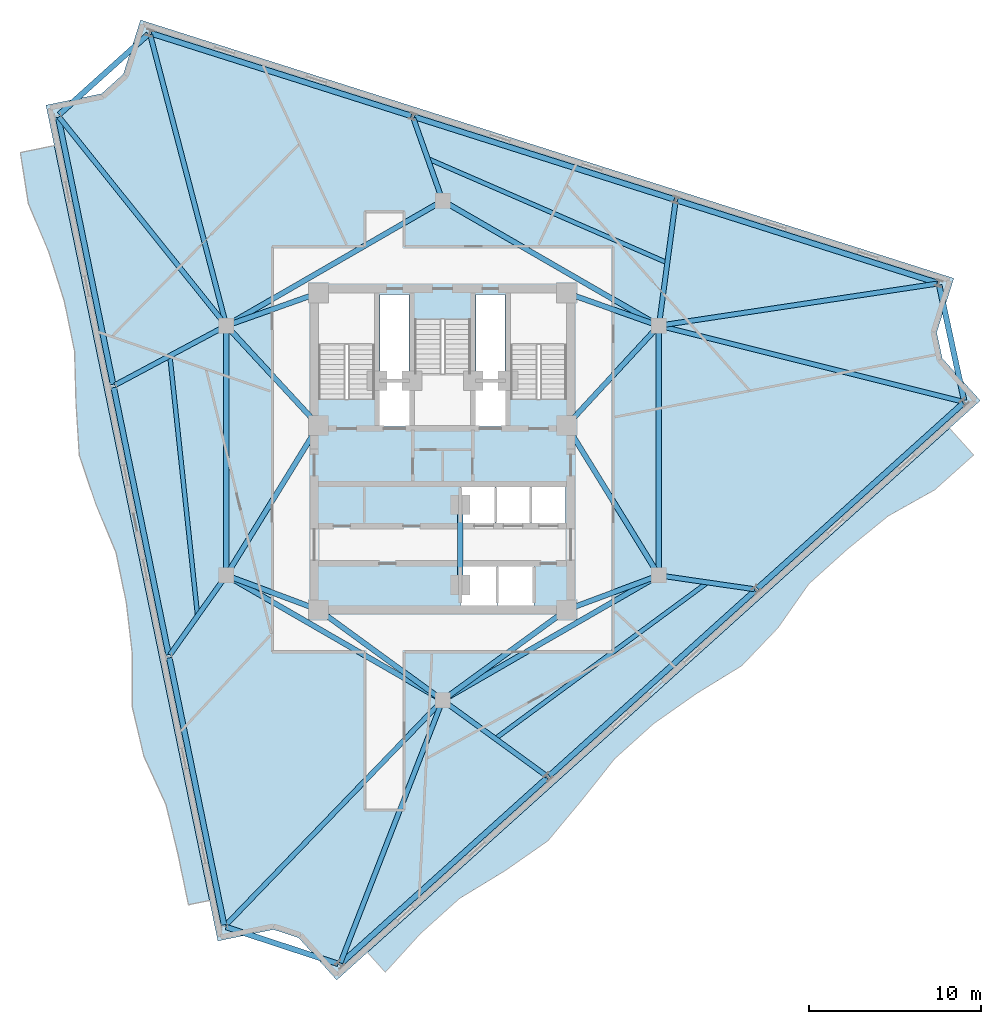
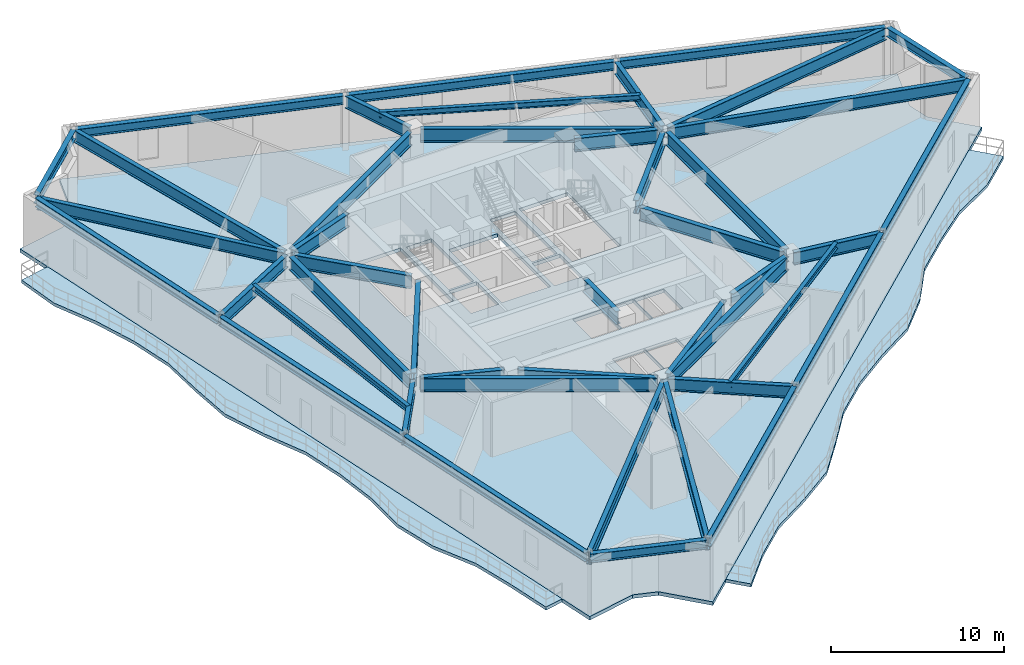
# One storey, part 4 of 11: 44 beams, 3 slabs.
"""IFC4 building model written with IfcOpenShell, lengths in metres."""

from ifc_helpers import new_model, si_unit, direction, frame, origin, origin_2d, place, context, subcontext, project, spatial, polyline, i_section, outline, extrude, material, layer, layer_set, material_profile, profile_set, type_object, element, save


model = new_model("IFC4")

# Units and contexts
model_context = context("Model", 3, precision=1e-05, world=origin(), true_north=direction((0.0, 1.0)))
body_context = subcontext(model_context, "Body", "Model", "MODEL_VIEW")
ifc_project = project(units=[si_unit("LENGTHUNIT", "METRE"), si_unit("AREAUNIT", "SQUARE_METRE"), si_unit("VOLUMEUNIT", "CUBIC_METRE"), si_unit("PLANEANGLEUNIT", "RADIAN"), si_unit("MASSUNIT", "GRAM", prefix="KILO")], contexts=[model_context])

# Site, building, storey
site_placement = place(None, origin())
site = spatial("IfcSite", under=ifc_project, at=site_placement, CompositionType="ELEMENT")
building_placement = place(site_placement, origin())
building = spatial("IfcBuilding", under=site, at=building_placement, Name="Apsidion Concourse Tower", CompositionType="ELEMENT")
storey_placement = place(building_placement, frame((0.0, 0.0, 244.5)))
storey = spatial("IfcBuildingStorey", under=building, at=storey_placement, Name="L57", CompositionType="ELEMENT", Elevation=244.5)

# Beams
ifc_material_1 = material(Name="Structural steel ASTM A992 Grade 50", Category="steel")
ifc_material_profile_1 = material_profile(ifc_material_1, i_section(OverallWidth=0.260009765625, OverallDepth=0.4150390625, WebThickness=0.010009765625, FlangeThickness=0.016845703125, at=origin_2d()), Name="W16X67")
ifc_profile_set_1 = profile_set([ifc_material_profile_1], Name="Structural steel ASTM A992 Grade 50")
beam_type_1 = type_object("IfcBeamType", Name="BM-FL-W16H", PredefinedType="BEAM", material=ifc_profile_set_1)
beam_1_placement = place(storey_placement, frame((-15.83642578125, 5.500732421875, 3.642578125), z_axis=(0.106172030497, -0.994347776153, 0.0), x_axis=(0.994347776153, 0.106172030497, 0.0)))
element("IfcBeam", 1, at=beam_1_placement, inside=storey, type_object=beam_type_1, Name="L57 Secondary Floor Beam SEC-F1", PredefinedType="BEAM", context=body_context, shape_type="SweptSolid", body=[
    extrude(i_section(OverallWidth=0.260009765625, OverallDepth=0.4150390625, WebThickness=0.010009765625, FlangeThickness=0.016845703125, at=origin_2d()), origin(), (0.0, 0.0, 1.0), 15.18359375),
])
beam_2_placement = place(storey_placement, frame((3.060791015625, -16.727294921875, 3.642578125), z_axis=(0.80548434449, 0.592617052389, 0.0), x_axis=(-0.592617052389, 0.80548434449, 0.0)))
element("IfcBeam", 2, at=beam_2_placement, inside=storey, type_object=beam_type_1, Name="L57 Secondary Floor Beam SEC-F2", PredefinedType="BEAM", context=body_context, shape_type="SweptSolid", body=[
    extrude(i_section(OverallWidth=0.260009765625, OverallDepth=0.4150390625, WebThickness=0.010009765625, FlangeThickness=0.016845703125, at=origin_2d()), origin(), (0.0, 0.0, 1.0), 15.301025390625),
])
beam_3_placement = place(storey_placement, frame((13.049560546875, 10.901611328125, 3.642578125), z_axis=(-0.917117371842, 0.398617267897, 0.0), x_axis=(-0.398617267897, -0.917117371842, 0.0)))
element("IfcBeam", 3, at=beam_3_placement, inside=storey, type_object=beam_type_1, Name="L57 Secondary Floor Beam SEC-F3", PredefinedType="BEAM", context=body_context, shape_type="SweptSolid", body=[
    extrude(i_section(OverallWidth=0.260009765625, OverallDepth=0.4150390625, WebThickness=0.010009765625, FlangeThickness=0.016845703125, at=origin_2d()), origin(), (0.0, 0.0, 1.0), 15.173828125),
])
ifc_material_profile_2 = material_profile(ifc_material_1, i_section(OverallWidth=0.2919921875, OverallDepth=0.85888671875, WebThickness=0.01708984375, FlangeThickness=0.031005859375, at=origin_2d()), Name="W33X169")
ifc_profile_set_2 = profile_set([ifc_material_profile_2], Name="Structural steel ASTM A992 Grade 50")
beam_type_2 = type_object("IfcBeamType", Name="BM-G-W33", PredefinedType="USERDEFINED", material=ifc_profile_set_2)
beam_4_placement = place(storey_placement, frame((-12.697509765625, 7.421630859375, 3.42041015625), z_axis=(-0.625472520241, 0.780246196033, 0.0), x_axis=(-0.780246196033, -0.625472520241, 0.0)))
element("IfcBeam", 4, at=beam_4_placement, inside=storey, type_object=beam_type_2, Name="L57 Radial Floor Girder RAD-01", ObjectType="GIRDER", PredefinedType="USERDEFINED", context=body_context, shape_type="SweptSolid", body=[
    extrude(i_section(OverallWidth=0.2919921875, OverallDepth=0.85888671875, WebThickness=0.01708984375, FlangeThickness=0.031005859375, at=origin_2d()), origin(), (0.0, 0.0, 1.0), 15.311767578125),
])
beam_5_placement = place(storey_placement, frame((-12.754150390625, 7.146484375, 3.42041015625), z_axis=(-0.88214083385, -0.470985720861, 0.0), x_axis=(0.470985720861, -0.88214083385, 0.0)))
element("IfcBeam", 5, at=beam_5_placement, inside=storey, type_object=beam_type_2, Name="L57 Radial Floor Girder RAD-02", ObjectType="GIRDER", PredefinedType="USERDEFINED", context=body_context, shape_type="SweptSolid", body=[
    extrude(i_section(OverallWidth=0.2919921875, OverallDepth=0.85888671875, WebThickness=0.01708984375, FlangeThickness=0.031005859375, at=origin_2d()), origin(), (0.0, 0.0, 1.0), 7.1083984375),
])
beam_6_placement = place(storey_placement, frame((-12.687255859375, -7.429443359375, 3.42041015625), z_axis=(-0.578459758238, -0.815710921895, 0.0), x_axis=(0.815710921895, -0.578459758238, 0.0)))
element("IfcBeam", 6, at=beam_6_placement, inside=storey, type_object=beam_type_2, Name="L57 Radial Floor Girder RAD-03", ObjectType="GIRDER", PredefinedType="USERDEFINED", context=body_context, shape_type="SweptSolid", body=[
    extrude(i_section(OverallWidth=0.2919921875, OverallDepth=0.85888671875, WebThickness=0.01708984375, FlangeThickness=0.031005859375, at=origin_2d()), origin(), (0.0, 0.0, 1.0), 5.434326171875),
])
beam_7_placement = place(storey_placement, frame((-0.152587890625, -14.658447265625, 3.42041015625), z_axis=(-0.693982841632, -0.719991538506, 0.0), x_axis=(0.719991538506, -0.693982841632, 0.0)))
element("IfcBeam", 7, at=beam_7_placement, inside=storey, type_object=beam_type_2, Name="L57 Radial Floor Girder RAD-04", ObjectType="GIRDER", PredefinedType="USERDEFINED", context=body_context, shape_type="SweptSolid", body=[
    extrude(i_section(OverallWidth=0.2919921875, OverallDepth=0.85888671875, WebThickness=0.01708984375, FlangeThickness=0.031005859375, at=origin_2d()), origin(), (0.0, 0.0, 1.0), 17.928955078125),
])
beam_8_placement = place(storey_placement, frame((-0.079833984375, -14.705078125, 3.42041015625), z_axis=(-0.36254845311, -0.931964923775, 0.0), x_axis=(0.931964923775, -0.36254845311, 0.0)))
element("IfcBeam", 8, at=beam_8_placement, inside=storey, type_object=beam_type_2, Name="L57 Radial Floor Girder RAD-05", ObjectType="GIRDER", PredefinedType="USERDEFINED", context=body_context, shape_type="SweptSolid", body=[
    extrude(i_section(OverallWidth=0.2919921875, OverallDepth=0.85888671875, WebThickness=0.01708984375, FlangeThickness=0.031005859375, at=origin_2d()), origin(), (0.0, 0.0, 1.0), 16.14013671875),
])
beam_9_placement = place(storey_placement, frame((0.177978515625, -14.62939453125, 3.42041015625), z_axis=(0.808567158699, -0.588403900288, 0.0), x_axis=(0.588403900288, 0.808567158699, 0.0)))
element("IfcBeam", 9, at=beam_9_placement, inside=storey, type_object=beam_type_2, Name="L57 Radial Floor Girder RAD-06", ObjectType="GIRDER", PredefinedType="USERDEFINED", context=body_context, shape_type="SweptSolid", body=[
    extrude(i_section(OverallWidth=0.2919921875, OverallDepth=0.85888671875, WebThickness=0.01708984375, FlangeThickness=0.031005859375, at=origin_2d()), origin(), (0.0, 0.0, 1.0), 7.251220703125),
])
beam_10_placement = place(storey_placement, frame((12.777587890625, -7.281494140625, 3.42041015625), z_axis=(0.98964652534, -0.143526147032, 0.0), x_axis=(0.143526147032, 0.98964652534, 0.0)))
element("IfcBeam", 10, at=beam_10_placement, inside=storey, type_object=beam_type_2, Name="L57 Radial Floor Girder RAD-07", ObjectType="GIRDER", PredefinedType="USERDEFINED", context=body_context, shape_type="SweptSolid", body=[
    extrude(i_section(OverallWidth=0.2919921875, OverallDepth=0.85888671875, WebThickness=0.01708984375, FlangeThickness=0.031005859375, at=origin_2d()), origin(), (0.0, 0.0, 1.0), 5.390625),
])
beam_11_placement = place(storey_placement, frame((12.7734375, 7.19677734375, 3.42041015625), z_axis=(0.97015368983, -0.242490861907, 0.0), x_axis=(0.242490861907, 0.97015368983, 0.0)))
element("IfcBeam", 11, at=beam_11_placement, inside=storey, type_object=beam_type_2, Name="L57 Radial Floor Girder RAD-08", ObjectType="GIRDER", PredefinedType="USERDEFINED", context=body_context, shape_type="SweptSolid", body=[
    extrude(i_section(OverallWidth=0.2919921875, OverallDepth=0.85888671875, WebThickness=0.01708984375, FlangeThickness=0.031005859375, at=origin_2d()), origin(), (0.0, 0.0, 1.0), 17.96630859375),
])
beam_12_placement = place(storey_placement, frame((12.777587890625, 7.282958984375, 3.42041015625), z_axis=(0.988774311252, 0.149416737377, 0.0), x_axis=(-0.149416737377, 0.988774311252, 0.0)))
element("IfcBeam", 12, at=beam_12_placement, inside=storey, type_object=beam_type_2, Name="L57 Radial Floor Girder RAD-09", ObjectType="GIRDER", PredefinedType="USERDEFINED", context=body_context, shape_type="SweptSolid", body=[
    extrude(i_section(OverallWidth=0.2919921875, OverallDepth=0.85888671875, WebThickness=0.01708984375, FlangeThickness=0.031005859375, at=origin_2d()), origin(), (0.0, 0.0, 1.0), 16.11572265625),
])
beam_13_placement = place(storey_placement, frame((12.589111328125, 7.468017578125, 3.42041015625), z_axis=(0.13290103696, 0.99112931264, 0.0), x_axis=(-0.99112931264, 0.13290103696, 0.0)))
element("IfcBeam", 13, at=beam_13_placement, inside=storey, type_object=beam_type_2, Name="L57 Radial Floor Girder RAD-10", ObjectType="GIRDER", PredefinedType="USERDEFINED", context=body_context, shape_type="SweptSolid", body=[
    extrude(i_section(OverallWidth=0.2919921875, OverallDepth=0.85888671875, WebThickness=0.01708984375, FlangeThickness=0.031005859375, at=origin_2d()), origin(), (0.0, 0.0, 1.0), 7.048583984375),
])
beam_14_placement = place(storey_placement, frame((-0.073486328125, 14.70751953125, 3.42041015625), z_axis=(-0.333398660175, 0.94278594251, 0.0), x_axis=(-0.94278594251, -0.333398660175, 0.0)))
element("IfcBeam", 14, at=beam_14_placement, inside=storey, type_object=beam_type_2, Name="L57 Radial Floor Girder RAD-11", ObjectType="GIRDER", PredefinedType="USERDEFINED", context=body_context, shape_type="SweptSolid", body=[
    extrude(i_section(OverallWidth=0.2919921875, OverallDepth=0.85888671875, WebThickness=0.01708984375, FlangeThickness=0.031005859375, at=origin_2d()), origin(), (0.0, 0.0, 1.0), 4.877685546875),
])
beam_15_placement = place(storey_placement, frame((-12.61572265625, 7.462890625, 3.42041015625), z_axis=(-0.253011847296, 0.967463180244, 0.0), x_axis=(-0.967463180244, -0.253011847296, 0.0)))
element("IfcBeam", 15, at=beam_15_placement, inside=storey, type_object=beam_type_2, Name="L57 Radial Floor Girder RAD-12", ObjectType="GIRDER", PredefinedType="USERDEFINED", context=body_context, shape_type="SweptSolid", body=[
    extrude(i_section(OverallWidth=0.2919921875, OverallDepth=0.85888671875, WebThickness=0.01708984375, FlangeThickness=0.031005859375, at=origin_2d()), origin(), (0.0, 0.0, 1.0), 17.249267578125),
])
ifc_material_profile_3 = material_profile(ifc_material_1, i_section(OverallWidth=0.31005859375, OverallDepth=0.931884765625, WebThickness=0.02099609375, FlangeThickness=0.034423828125, at=origin_2d()), Name="W36X210")
ifc_profile_set_3 = profile_set([ifc_material_profile_3], Name="Structural steel ASTM A992 Grade 50")
beam_type_3 = type_object("IfcBeamType", Name="BM-G-W36", PredefinedType="USERDEFINED", material=ifc_profile_set_3)
beam_16_placement = place(storey_placement, frame((-12.185302734375, -7.389892578125, 3.384033203125), z_axis=(0.936913021145, -0.349562570664, 0.0), x_axis=(0.349562570664, 0.936913021145, 0.0)))
element("IfcBeam", 16, at=beam_16_placement, inside=storey, type_object=beam_type_3, Name="L57 Core Coupling Girder IC1-SC1", ObjectType="GIRDER", PredefinedType="USERDEFINED", context=body_context, shape_type="SweptSolid", body=[
    extrude(i_section(OverallWidth=0.31005859375, OverallDepth=0.931884765625, WebThickness=0.02099609375, FlangeThickness=0.034423828125, at=origin_2d()), origin(), (0.0, 0.0, 1.0), 4.921142578125),
])
beam_17_placement = place(storey_placement, frame((-12.35009765625, -6.909423828125, 3.384033203125), z_axis=(0.524524009763, 0.851395656074, 0.0), x_axis=(-0.851395656074, 0.524524009763, 0.0)))
element("IfcBeam", 17, at=beam_17_placement, inside=storey, type_object=beam_type_3, Name="L57 Core Coupling Girder IC1-SC6", ObjectType="GIRDER", PredefinedType="USERDEFINED", context=body_context, shape_type="SweptSolid", body=[
    extrude(i_section(OverallWidth=0.31005859375, OverallDepth=0.931884765625, WebThickness=0.02099609375, FlangeThickness=0.034423828125, at=origin_2d()), origin(), (0.0, 0.0, 1.0), 9.41845703125),
])
beam_18_placement = place(storey_placement, frame((12.185302734375, -7.389892578125, 3.384033203125), z_axis=(-0.936913021145, -0.349562570664, 0.0), x_axis=(0.349562570664, -0.936913021145, 0.0)))
element("IfcBeam", 18, at=beam_18_placement, inside=storey, type_object=beam_type_3, Name="L57 Core Coupling Girder IC2-SC2", ObjectType="GIRDER", PredefinedType="USERDEFINED", context=body_context, shape_type="SweptSolid", body=[
    extrude(i_section(OverallWidth=0.31005859375, OverallDepth=0.931884765625, WebThickness=0.02099609375, FlangeThickness=0.034423828125, at=origin_2d()), origin(), (0.0, 0.0, 1.0), 4.921142578125),
])
beam_19_placement = place(storey_placement, frame((12.35009765625, -6.909423828125, 3.384033203125), z_axis=(-0.524524009763, 0.851395656074, 0.0), x_axis=(-0.851395656074, -0.524524009763, 0.0)))
element("IfcBeam", 19, at=beam_19_placement, inside=storey, type_object=beam_type_3, Name="L57 Core Coupling Girder IC2-SC3", ObjectType="GIRDER", PredefinedType="USERDEFINED", context=body_context, shape_type="SweptSolid", body=[
    extrude(i_section(OverallWidth=0.31005859375, OverallDepth=0.931884765625, WebThickness=0.02099609375, FlangeThickness=0.034423828125, at=origin_2d()), origin(), (0.0, 0.0, 1.0), 9.41845703125),
])
beam_20_placement = place(storey_placement, frame((12.28857421875, 6.956298828125, 3.384033203125), z_axis=(-0.678712876106, -0.73440372535, 0.0), x_axis=(0.73440372535, -0.678712876106, 0.0)))
element("IfcBeam", 20, at=beam_20_placement, inside=storey, type_object=beam_type_3, Name="L57 Core Coupling Girder IC3-SC3", ObjectType="GIRDER", PredefinedType="USERDEFINED", context=body_context, shape_type="SweptSolid", body=[
    extrude(i_section(OverallWidth=0.31005859375, OverallDepth=0.931884765625, WebThickness=0.02099609375, FlangeThickness=0.034423828125, at=origin_2d()), origin(), (0.0, 0.0, 1.0), 7.097412109375),
])
beam_21_placement = place(storey_placement, frame((12.18310546875, 7.383544921875, 3.384033203125), z_axis=(-0.942533844539, 0.334110688094, 0.0), x_axis=(-0.334110688094, -0.942533844539, 0.0)))
element("IfcBeam", 21, at=beam_21_placement, inside=storey, type_object=beam_type_3, Name="L57 Core Coupling Girder IC3-SC4", ObjectType="GIRDER", PredefinedType="USERDEFINED", context=body_context, shape_type="SweptSolid", body=[
    extrude(i_section(OverallWidth=0.31005859375, OverallDepth=0.931884765625, WebThickness=0.02099609375, FlangeThickness=0.034423828125, at=origin_2d()), origin(), (0.0, 0.0, 1.0), 4.886962890625),
])
beam_22_placement = place(storey_placement, frame((-12.28857421875, 6.956298828125, 3.384033203125), z_axis=(0.678712876106, -0.73440372535, 0.0), x_axis=(0.73440372535, 0.678712876106, 0.0)))
element("IfcBeam", 22, at=beam_22_placement, inside=storey, type_object=beam_type_3, Name="L57 Core Coupling Girder IC5-SC6", ObjectType="GIRDER", PredefinedType="USERDEFINED", context=body_context, shape_type="SweptSolid", body=[
    extrude(i_section(OverallWidth=0.31005859375, OverallDepth=0.931884765625, WebThickness=0.02099609375, FlangeThickness=0.034423828125, at=origin_2d()), origin(), (0.0, 0.0, 1.0), 7.097412109375),
])
beam_23_placement = place(storey_placement, frame((-12.18310546875, 7.383544921875, 3.384033203125), z_axis=(0.942533844539, 0.334110688094, 0.0), x_axis=(-0.334110688094, 0.942533844539, 0.0)))
element("IfcBeam", 23, at=beam_23_placement, inside=storey, type_object=beam_type_3, Name="L57 Core Coupling Girder IC5-SC5", ObjectType="GIRDER", PredefinedType="USERDEFINED", context=body_context, shape_type="SweptSolid", body=[
    extrude(i_section(OverallWidth=0.31005859375, OverallDepth=0.931884765625, WebThickness=0.02099609375, FlangeThickness=0.034423828125, at=origin_2d()), origin(), (0.0, 0.0, 1.0), 4.886962890625),
])
for number, where, z_axis, x_axis, name in (
    (24, (-0.3232421875, -14.264404296875, 3.384033203125), (-0.807993498909, 0.589191399905, 0.0), (-0.589191399905, -0.807993498909, 0.0), "L57 Core Coupling Girder IC6-SC1"),
    (25, (0.3232421875, -14.264404296875, 3.384033203125), (0.807993498909, 0.589191399905, 0.0), (-0.589191399905, 0.807993498909, 0.0), "L57 Core Coupling Girder IC6-SC2"),
):
    element("IfcBeam", number, at=place(storey_placement, frame(where, z_axis=z_axis, x_axis=x_axis)), inside=storey, type_object=beam_type_3, Name=name, ObjectType="GIRDER", PredefinedType="USERDEFINED", context=body_context, shape_type="SweptSolid", body=[
        extrude(i_section(OverallWidth=0.31005859375, OverallDepth=0.931884765625, WebThickness=0.02099609375, FlangeThickness=0.034423828125, at=origin_2d()), origin(), (0.0, 0.0, 1.0), 8.11083984375),
    ])
beam_24_placement = place(storey_placement, frame((-12.56005859375, -6.85009765625, 3.384033203125), z_axis=(0.0, 1.0, 0.0), x_axis=(-1.0, 0.0, 0.0)))
element("IfcBeam", 26, at=beam_24_placement, inside=storey, type_object=beam_type_3, Name="L57 Core Coupling Girder IC1-IC5", ObjectType="GIRDER", PredefinedType="USERDEFINED", context=body_context, shape_type="SweptSolid", body=[
    extrude(i_section(OverallWidth=0.31005859375, OverallDepth=0.931884765625, WebThickness=0.02099609375, FlangeThickness=0.034423828125, at=origin_2d()), origin(), (0.0, 0.0, 1.0), 13.7001953125),
])
for number, where, z_axis, x_axis, name in (
    (27, (-12.213623046875, 7.449951171875, 3.384033203125), (0.866070471464, 0.499921932364, 0.0), (-0.499921932364, 0.866070471464, 0.0), "L57 Core Coupling Girder IC5-IC4"),
    (28, (0.346435546875, 14.300048828125, 3.384033203125), (0.866070471464, -0.499921932364, 0.0), (0.499921932364, 0.866070471464, 0.0), "L57 Core Coupling Girder IC4-IC3"),
):
    element("IfcBeam", number, at=place(storey_placement, frame(where, z_axis=z_axis, x_axis=x_axis)), inside=storey, type_object=beam_type_3, Name=name, ObjectType="GIRDER", PredefinedType="USERDEFINED", context=body_context, shape_type="SweptSolid", body=[
        extrude(i_section(OverallWidth=0.31005859375, OverallDepth=0.931884765625, WebThickness=0.02099609375, FlangeThickness=0.034423828125, at=origin_2d()), origin(), (0.0, 0.0, 1.0), 13.702392578125),
    ])
beam_25_placement = place(storey_placement, frame((12.56005859375, 6.85009765625, 3.384033203125), z_axis=(0.0, -1.0, 0.0), x_axis=(1.0, 0.0, 0.0)))
element("IfcBeam", 29, at=beam_25_placement, inside=storey, type_object=beam_type_3, Name="L57 Core Coupling Girder IC3-IC2", ObjectType="GIRDER", PredefinedType="USERDEFINED", context=body_context, shape_type="SweptSolid", body=[
    extrude(i_section(OverallWidth=0.31005859375, OverallDepth=0.931884765625, WebThickness=0.02099609375, FlangeThickness=0.034423828125, at=origin_2d()), origin(), (0.0, 0.0, 1.0), 13.7001953125),
])
for number, where, z_axis, x_axis, name in (
    (30, (12.213623046875, -7.449951171875, 3.384033203125), (-0.866070471464, -0.499921932364, 0.0), (0.499921932364, -0.866070471464, 0.0), "L57 Core Coupling Girder IC2-IC6"),
    (31, (-0.346435546875, -14.300048828125, 3.384033203125), (-0.866070471464, 0.499921932364, 0.0), (-0.499921932364, -0.866070471464, 0.0), "L57 Core Coupling Girder IC6-IC1"),
):
    element("IfcBeam", number, at=place(storey_placement, frame(where, z_axis=z_axis, x_axis=x_axis)), inside=storey, type_object=beam_type_3, Name=name, ObjectType="GIRDER", PredefinedType="USERDEFINED", context=body_context, shape_type="SweptSolid", body=[
        extrude(i_section(OverallWidth=0.31005859375, OverallDepth=0.931884765625, WebThickness=0.02099609375, FlangeThickness=0.034423828125, at=origin_2d()), origin(), (0.0, 0.0, 1.0), 13.702392578125),
    ])
beam_26_placement = place(storey_placement, frame((1.02490234375, -3.550048828125, 3.384033203125), z_axis=(0.0, -1.0, 0.0), x_axis=(1.0, 0.0, 0.0)))
element("IfcBeam", 32, at=beam_26_placement, inside=storey, type_object=beam_type_3, Name="L57 Core Coupling Girder CC5-CC6", ObjectType="GIRDER", PredefinedType="USERDEFINED", context=body_context, shape_type="SweptSolid", body=[
    extrude(i_section(OverallWidth=0.31005859375, OverallDepth=0.931884765625, WebThickness=0.02099609375, FlangeThickness=0.034423828125, at=origin_2d()), origin(), (0.0, 0.0, 1.0), 3.849853515625),
])
ifc_material_profile_4 = material_profile(ifc_material_1, i_section(OverallWidth=0.324951171875, OverallDepth=0.616943359375, WebThickness=0.013916015625, FlangeThickness=0.021484375, at=origin_2d()), Name="W24X117")
ifc_profile_set_4 = profile_set([ifc_material_profile_4], Name="Structural steel ASTM A992 Grade 50")
beam_type_4 = type_object("IfcBeamType", Name="BM-SP-W24", PredefinedType="SPANDREL", material=ifc_profile_set_4)
beam_27_placement = place(storey_placement, frame((-22.317138671875, 19.3486328125, 3.54150390625), z_axis=(0.201231912796, -0.979543627039, 0.0), x_axis=(0.979543627039, 0.201231912796, 0.0)))
element("IfcBeam", 33, at=beam_27_placement, inside=storey, type_object=beam_type_4, Name="L57 Perimeter Spandrel Girder SP-01", PredefinedType="SPANDREL", context=body_context, shape_type="SweptSolid", body=[
    extrude(i_section(OverallWidth=0.324951171875, OverallDepth=0.616943359375, WebThickness=0.013916015625, FlangeThickness=0.021484375, at=origin_2d()), origin(), (0.0, 0.0, 1.0), 15.822998046875),
])
beam_28_placement = place(storey_placement, frame((-19.0927734375, 3.6533203125, 3.54150390625), z_axis=(0.201234954239, -0.979543002217, 0.0), x_axis=(0.979543002217, 0.201234954239, 0.0)))
element("IfcBeam", 34, at=beam_28_placement, inside=storey, type_object=beam_type_4, Name="L57 Perimeter Spandrel Girder SP-02", PredefinedType="SPANDREL", context=body_context, shape_type="SweptSolid", body=[
    extrude(i_section(OverallWidth=0.324951171875, OverallDepth=0.616943359375, WebThickness=0.013916015625, FlangeThickness=0.021484375, at=origin_2d()), origin(), (0.0, 0.0, 1.0), 15.82275390625),
])
beam_29_placement = place(storey_placement, frame((-15.86865234375, -12.041748046875, 3.54150390625), z_axis=(0.201231912796, -0.979543627039, 0.0), x_axis=(0.979543627039, 0.201231912796, 0.0)))
element("IfcBeam", 35, at=beam_29_placement, inside=storey, type_object=beam_type_4, Name="L57 Perimeter Spandrel Girder SP-03", PredefinedType="SPANDREL", context=body_context, shape_type="SweptSolid", body=[
    extrude(i_section(OverallWidth=0.324951171875, OverallDepth=0.616943359375, WebThickness=0.013916015625, FlangeThickness=0.021484375, at=origin_2d()), origin(), (0.0, 0.0, 1.0), 15.822998046875),
])
beam_30_placement = place(storey_placement, frame((-12.5693359375, -27.67041015625, 3.54150390625), z_axis=(0.950000938621, -0.312247044211, 0.0), x_axis=(0.312247044211, 0.950000938621, 0.0)))
element("IfcBeam", 36, at=beam_30_placement, inside=storey, type_object=beam_type_4, Name="L57 Perimeter Spandrel Girder SP-04", PredefinedType="SPANDREL", context=body_context, shape_type="SweptSolid", body=[
    extrude(i_section(OverallWidth=0.324951171875, OverallDepth=0.616943359375, WebThickness=0.013916015625, FlangeThickness=0.021484375, at=origin_2d()), origin(), (0.0, 0.0, 1.0), 6.849365234375),
])
for number, where, z_axis, x_axis, name in (
    (37, (-5.893310546875, -29.773193359375, 3.54150390625), (0.743150581284, 0.669124213833, 0.0), (-0.669124213833, 0.743150581284, 0.0), "L57 Perimeter Spandrel Girder SP-05"),
    (38, (6.196044921875, -18.887939453125, 3.54150390625), (0.743150581284, 0.669124213833, 0.0), (-0.669124213833, 0.743150581284, 0.0), "L57 Perimeter Spandrel Girder SP-06"),
    (39, (18.285400390625, -8.002685546875, 3.54150390625), (0.743150581284, 0.669124213833, 0.0), (-0.669124213833, 0.743150581284, 0.0), "L57 Perimeter Spandrel Girder SP-07"),
):
    element("IfcBeam", number, at=place(storey_placement, frame(where, z_axis=z_axis, x_axis=x_axis)), inside=storey, type_object=beam_type_4, Name=name, PredefinedType="SPANDREL", context=body_context, shape_type="SweptSolid", body=[
        extrude(i_section(OverallWidth=0.324951171875, OverallDepth=0.616943359375, WebThickness=0.013916015625, FlangeThickness=0.021484375, at=origin_2d()), origin(), (0.0, 0.0, 1.0), 16.06787109375),
    ])
beam_31_placement = place(storey_placement, frame((30.279541015625, 2.91357421875, 3.54150390625), z_axis=(-0.211269287353, 0.977427894129, 0.0), x_axis=(-0.977427894129, -0.211269287353, 0.0)))
element("IfcBeam", 40, at=beam_31_placement, inside=storey, type_object=beam_type_4, Name="L57 Perimeter Spandrel Girder SP-08", PredefinedType="SPANDREL", context=body_context, shape_type="SweptSolid", body=[
    extrude(i_section(OverallWidth=0.324951171875, OverallDepth=0.616943359375, WebThickness=0.013916015625, FlangeThickness=0.021484375, at=origin_2d()), origin(), (0.0, 0.0, 1.0), 6.84912109375),
])
for number, where, z_axis, x_axis, name in (
    (41, (28.716064453125, 9.736083984375, 3.54150390625), (-0.953145595639, 0.302511939458, 0.0), (-0.302511939458, -0.953145595639, 0.0), "L57 Perimeter Spandrel Girder SP-09"),
    (42, (13.44384765625, 14.58349609375, 3.54150390625), (-0.953145595639, 0.302511939458, 0.0), (-0.302511939458, -0.953145595639, 0.0), "L57 Perimeter Spandrel Girder SP-10"),
    (43, (-1.828369140625, 19.4306640625, 3.54150390625), (-0.953145595639, 0.302511939458, 0.0), (-0.302511939458, -0.953145595639, 0.0), "L57 Perimeter Spandrel Girder SP-11"),
):
    element("IfcBeam", number, at=place(storey_placement, frame(where, z_axis=z_axis, x_axis=x_axis)), inside=storey, type_object=beam_type_4, Name=name, PredefinedType="SPANDREL", context=body_context, shape_type="SweptSolid", body=[
        extrude(i_section(OverallWidth=0.324951171875, OverallDepth=0.616943359375, WebThickness=0.013916015625, FlangeThickness=0.021484375, at=origin_2d()), origin(), (0.0, 0.0, 1.0), 15.822998046875),
    ])
beam_32_placement = place(storey_placement, frame((-17.07958984375, 24.1806640625, 3.54150390625), z_axis=(-0.743153149962, -0.669121360966, 0.0), x_axis=(0.669121360966, -0.743153149962, 0.0)))
element("IfcBeam", 44, at=beam_32_placement, inside=storey, type_object=beam_type_4, Name="L57 Perimeter Spandrel Girder SP-12", PredefinedType="SPANDREL", context=body_context, shape_type="SweptSolid", body=[
    extrude(i_section(OverallWidth=0.324951171875, OverallDepth=0.616943359375, WebThickness=0.013916015625, FlangeThickness=0.021484375, at=origin_2d()), origin(), (0.0, 0.0, 1.0), 6.974853515625),
])

# Slabs
ifc_material_2 = material(Name="Concrete C50/60", Category="concrete")
ifc_layer_1 = layer(ifc_material_2, 0.219970703125)
ifc_layer_set_1 = layer_set([ifc_layer_1], Name="Concrete C50/60")
slab_type_1 = type_object("IfcSlabType", Name="SL-BAL-220", PredefinedType="FLOOR", material=ifc_layer_set_1)
slab_1_placement = place(storey_placement, frame((0.0, 0.0, -0.219970703125)))
element("IfcSlab", 45, at=slab_1_placement, inside=storey, type_object=slab_type_1, Name="L57 Face 1 Rippling Balcony Slab", PredefinedType="FLOOR", context=body_context, shape_type="SweptSolid", body=[
    extrude(outline(polyline([(-22.54541015625, 17.70361328125), (-21.9443359375, 14.781494140625), (-21.343505859375, 11.859619140625), (-20.74267578125, 8.93798828125), (-20.141845703125, 6.01611328125), (-19.541015625, 3.093994140625), (-18.940185546875, 0.17236328125), (-18.339111328125, -2.74951171875), (-17.73828125, -5.67138671875), (-17.137451171875, -8.593505859375), (-16.53662109375, -11.51513671875), (-15.935791015625, -14.43701171875), (-15.3349609375, -17.35888671875), (-14.734130859375, -20.28076171875), (-14.13330078125, -23.20263671875), (-13.5322265625, -26.12451171875), (-14.756591796875, -26.37646484375), (-15.357666015625, -23.45458984375), (-16.060546875, -20.5537109375), (-17.337890625, -17.77099609375), (-18.022705078125, -14.8662109375), (-18.012451171875, -11.818603515625), (-18.36181640625, -8.84521484375), (-18.962646484375, -5.92333984375), (-20.12841796875, -3.117431640625), (-21.094482421875, -0.270751953125), (-21.283203125, 2.73583984375), (-21.3662109375, 5.76416015625), (-21.967041015625, 8.68603515625), (-22.870361328125, 11.5458984375), (-24.052490234375, 14.34814453125), (-24.513671875, 17.298583984375), (-22.54541015625, 17.70361328125)])), origin(), (0.0, 0.0, 1.0), 0.219970703125),
])
slab_2_placement = place(storey_placement, frame((0.0, 0.0, -0.219970703125)))
element("IfcSlab", 46, at=slab_2_placement, inside=storey, type_object=slab_type_1, Name="L57 Face 2 Rippling Balcony Slab", PredefinedType="FLOOR", context=body_context, shape_type="SweptSolid", body=[
    extrude(outline(polyline([(-4.364501953125, -29.136962890625), (-2.111328125, -27.108154296875), (0.141845703125, -25.079345703125), (2.39501953125, -23.050537109375), (4.648193359375, -21.021728515625), (6.901611328125, -18.992919921875), (9.15478515625, -16.964111328125), (11.407958984375, -14.935302734375), (13.6611328125, -12.906494140625), (15.914306640625, -10.877685546875), (18.16748046875, -8.848876953125), (20.420654296875, -6.820068359375), (22.673828125, -4.791259765625), (24.927001953125, -2.762451171875), (27.180419921875, -0.733642578125), (29.43359375, 1.295166015625), (30.834228515625, -0.260498046875), (28.57421875, -2.28173828125), (25.865478515625, -3.8046875), (23.51025390625, -5.72021484375), (21.257080078125, -7.7490234375), (19.47119140625, -10.296875), (17.369384765625, -12.493896484375), (14.741943359375, -14.10693359375), (12.244384765625, -15.8642578125), (9.9912109375, -17.89306640625), (8.07958984375, -20.30126953125), (6.119873046875, -22.656005859375), (3.61376953125, -24.404052734375), (0.978271484375, -26.00830078125), (-1.27490234375, -28.037109375), (-3.327392578125, -30.288818359375), (-4.364501953125, -29.136962890625)])), origin(), (0.0, 0.0, 1.0), 0.219970703125),
])
ifc_layer_2 = layer(ifc_material_2, 0.25)
ifc_layer_set_2 = layer_set([ifc_layer_2], Name="Concrete C50/60")
slab_type_2 = type_object("IfcSlabType", Name="SL-FLR-250", PredefinedType="FLOOR", material=ifc_layer_set_2)
slab_3_placement = place(storey_placement, frame((0.0, 0.0, -0.25)))
element("IfcSlab", 47, at=slab_3_placement, inside=storey, type_object=slab_type_2, Name="L57 Structural Floor Slab", PredefinedType="FLOOR", context=body_context, shape_type="SweptSolid", body=[
    extrude(outline(polyline([(-17.537353515625, 24.998779296875), (-18.535400390625, 21.8564453125), (-19.79931640625, 20.718505859375), (-23.02880859375, 20.05419921875), (-13.048828125, -28.475341796875), (-9.819580078125, -27.811279296875), (-8.354248046875, -28.292724609375), (-6.148193359375, -30.742919921875), (31.217041015625, 2.90087890625), (29.010986328125, 5.35107421875), (28.685302734375, 6.858642578125), (29.683349609375, 10.0009765625), (-17.537353515625, 24.998779296875)]), holes=[polyline([(-3.949951171875, 3.0), (-3.949951171875, 9.14990234375), (-7.199951171875, 9.14990234375), (-7.199951171875, 3.0), (-3.949951171875, 3.0)]), polyline([(7.199951171875, 3.0), (7.199951171875, 9.14990234375), (3.949951171875, 9.14990234375), (3.949951171875, 3.0), (7.199951171875, 3.0)]), polyline([(-1.625, 7.60009765625), (-1.625, 1.449951171875), (1.625, 1.449951171875), (1.625, 7.60009765625), (-1.625, 7.60009765625)]), polyline([(1.054931640625, -4.300048828125), (3.044921875, -4.300048828125), (3.044921875, -2.050048828125), (1.054931640625, -2.050048828125), (1.054931640625, -4.300048828125)]), polyline([(3.10498046875, -4.300048828125), (5.094970703125, -4.300048828125), (5.094970703125, -2.050048828125), (3.10498046875, -2.050048828125), (3.10498046875, -4.300048828125)]), polyline([(5.155029296875, -4.300048828125), (7.14501953125, -4.300048828125), (7.14501953125, -2.050048828125), (5.155029296875, -2.050048828125), (5.155029296875, -4.300048828125)]), polyline([(1.044921875, -9.0), (3.155029296875, -9.0), (3.155029296875, -6.64990234375), (1.044921875, -6.64990234375), (1.044921875, -9.0)]), polyline([(3.195068359375, -9.0), (5.304931640625, -9.0), (5.304931640625, -6.64990234375), (3.195068359375, -6.64990234375), (3.195068359375, -9.0)]), polyline([(-3.7099609375, 1.39990234375), (-1.85009765625, 1.39990234375), (-1.85009765625, 4.0), (-3.7099609375, 4.0), (-3.7099609375, 1.39990234375)]), polyline([(1.85009765625, 1.39990234375), (3.7099609375, 1.39990234375), (3.7099609375, 4.0), (1.85009765625, 4.0), (1.85009765625, 1.39990234375)]), polyline([(-3.6201171875, 4.14990234375), (-1.93994140625, 4.14990234375), (-1.93994140625, 9.050048828125), (-3.6201171875, 9.050048828125), (-3.6201171875, 4.14990234375)]), polyline([(1.93994140625, 4.14990234375), (3.6201171875, 4.14990234375), (3.6201171875, 9.050048828125), (1.93994140625, 9.050048828125), (1.93994140625, 4.14990234375)])]), origin(), (0.0, 0.0, 1.0), 0.25),
])

save(model, "model.ifc")
